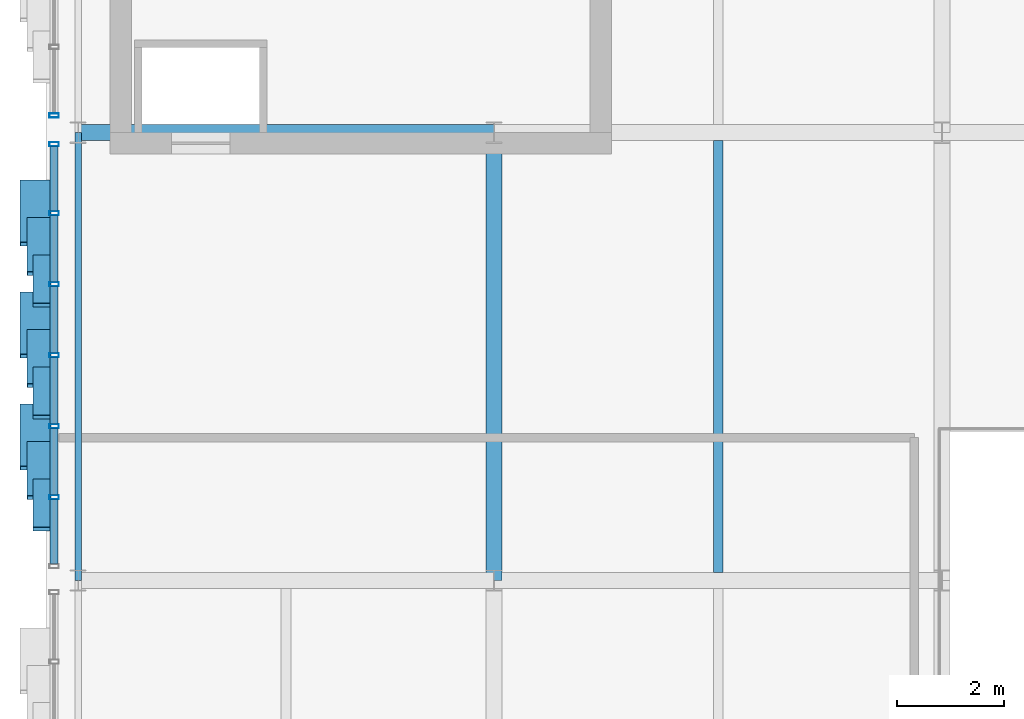
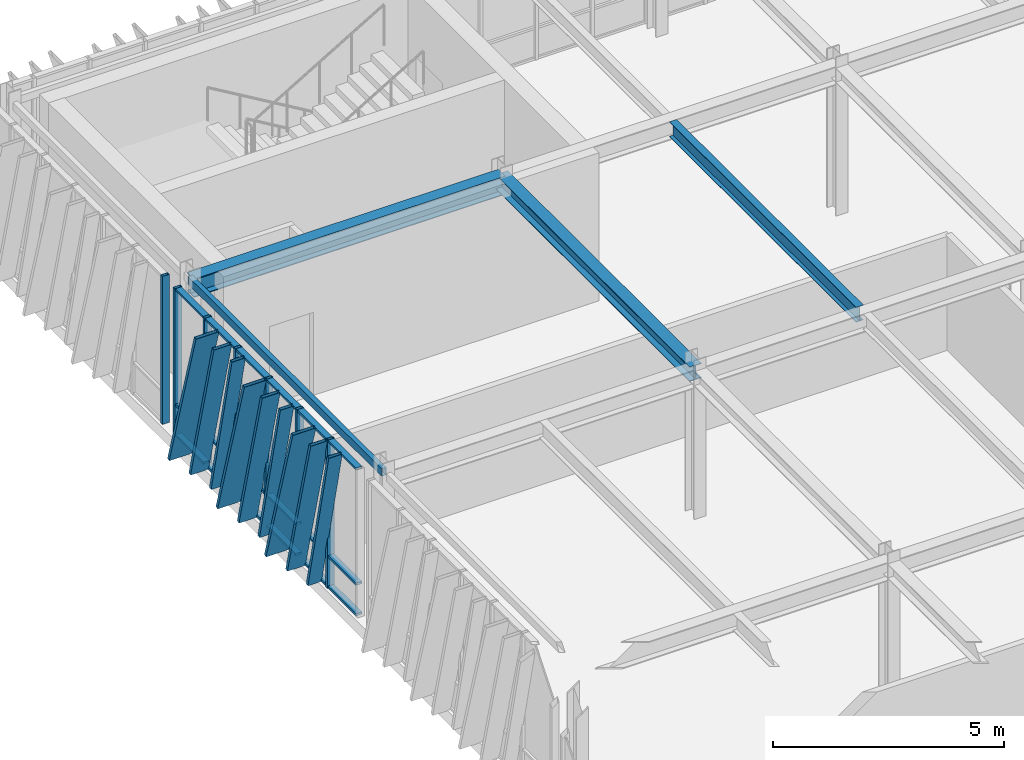
# One storey, part 42 of 127: 34 members, 4 beams, 2 elements without a shape of their own.
"""IFC4 building model written with IfcOpenShell, lengths in metres."""

from ifc_helpers import new_model, si_unit, direction, frame, origin, origin_2d, place, context, subcontext, project, spatial, hollow_rectangle, i_section, extrude, material, layer, layer_set, material_profile, profile_set, type_object, element, aggregate, save


model = new_model("IFC4")

# Units and contexts
model_context = context("Model", 3, precision=1e-05, world=origin(), true_north=direction((0.0, 1.0)))
body_context = subcontext(model_context, "Body", "Model", "MODEL_VIEW")
ifc_project = project(units=[si_unit("LENGTHUNIT", "METRE"), si_unit("AREAUNIT", "SQUARE_METRE"), si_unit("VOLUMEUNIT", "CUBIC_METRE"), si_unit("PLANEANGLEUNIT", "RADIAN"), si_unit("MASSUNIT", "GRAM", prefix="KILO")], contexts=[model_context])

# Site, building, storey
site_placement = place(None, origin())
site = spatial("IfcSite", under=ifc_project, at=site_placement, CompositionType="ELEMENT")
building_placement = place(site_placement, origin())
building = spatial("IfcBuilding", under=site, at=building_placement, Name="Zayran Congress Hotel", CompositionType="ELEMENT")
storey_placement = place(building_placement, frame((0.0, 0.0, 10.800048828125)))
storey = spatial("IfcBuildingStorey", under=building, at=storey_placement, Name="L02", CompositionType="ELEMENT", Elevation=10.800048828125)

# Beams
ifc_material_1 = material(Name="Steel S355", Category="steel")
ifc_material_profile_1 = material_profile(ifc_material_1, i_section(OverallWidth=0.300048828125, OverallDepth=0.489990234375, WebThickness=0.011962890625, FlangeThickness=0.02294921875, at=origin_2d()), Name="HEA 500")
ifc_profile_set_1 = profile_set([ifc_material_profile_1], Name="Steel S355")
beam_type_1 = type_object("IfcBeamType", Name="TP-BM-05", PredefinedType="BEAM", material=ifc_profile_set_1)
beam_1_placement = place(storey_placement, frame((9.0, 109.60009765625, 3.675048828125), z_axis=(1.0, 0.0, 0.0), x_axis=(0.0, 1.0, 0.0)))
element("IfcBeam", 1, at=beam_1_placement, inside=storey, type_object=beam_type_1, Name="BM-V1-L02-0690", PredefinedType="BEAM", context=body_context, shape_type="SweptSolid", body=[
    extrude(i_section(OverallWidth=0.300048828125, OverallDepth=0.489990234375, WebThickness=0.011962890625, FlangeThickness=0.02294921875, at=origin_2d()), origin(), (0.0, 0.0, 1.0), 7.800048828125),
])
ifc_material_profile_2 = material_profile(ifc_material_1, i_section(OverallWidth=0.300048828125, OverallDepth=0.389892578125, WebThickness=0.010986328125, FlangeThickness=0.01904296875, at=origin_2d()), Name="HEA 400")
ifc_profile_set_2 = profile_set([ifc_material_profile_2], Name="Steel S355")
beam_type_2 = type_object("IfcBeamType", Name="TP-BM-06", PredefinedType="BEAM", material=ifc_profile_set_2)
beam_2_placement = place(storey_placement, frame((16.800048828125, 101.199951171875, 3.724853515625), z_axis=(0.0, 1.0, 0.0), x_axis=(-1.0, 0.0, 0.0)))
element("IfcBeam", 2, at=beam_2_placement, inside=storey, type_object=beam_type_2, Name="BM-V1-L02-0719", PredefinedType="BEAM", context=body_context, shape_type="SweptSolid", body=[
    extrude(i_section(OverallWidth=0.300048828125, OverallDepth=0.389892578125, WebThickness=0.010986328125, FlangeThickness=0.01904296875, at=origin_2d()), origin(), (0.0, 0.0, 1.0), 8.400146484375),
])
ifc_material_profile_3 = material_profile(ifc_material_1, i_section(OverallWidth=0.179931640625, OverallDepth=0.39990234375, WebThickness=0.008544921875, FlangeThickness=0.013427734375, at=origin_2d()), Name="IPE 400")
ifc_profile_set_3 = profile_set([ifc_material_profile_3], Name="Steel S355")
beam_type_3 = type_object("IfcBeamType", Name="TP-JS-03", PredefinedType="JOIST", material=ifc_profile_set_3)
beam_3_placement = place(storey_placement, frame((21.0, 101.35009765625, 3.719970703125), z_axis=(0.0, 1.0, 0.0), x_axis=(-1.0, 0.0, 0.0)))
element("IfcBeam", 3, at=beam_3_placement, inside=storey, type_object=beam_type_3, Name="JST-V1-L02-0763", PredefinedType="JOIST", context=body_context, shape_type="SweptSolid", body=[
    extrude(i_section(OverallWidth=0.179931640625, OverallDepth=0.39990234375, WebThickness=0.008544921875, FlangeThickness=0.013427734375, at=origin_2d()), origin(), (0.0, 0.0, 1.0), 8.099853515625),
])
ifc_material_profile_4 = material_profile(ifc_material_1, hollow_rectangle(XDim=0.1201171875, YDim=0.199951171875, WallThickness=0.008056640625, at=origin_2d()), Name="RHS 200x120x8")
ifc_profile_set_4 = profile_set([ifc_material_profile_4], Name="Steel S355")
beam_type_4 = type_object("IfcBeamType", Name="TP-SP-02", PredefinedType="SPANDREL", material=ifc_profile_set_4)
beam_4_placement = place(storey_placement, frame((9.0, 101.199951171875, 3.820068359375), z_axis=(0.0, 1.0, 0.0), x_axis=(-1.0, 0.0, 0.0)))
element("IfcBeam", 4, at=beam_4_placement, inside=storey, type_object=beam_type_4, Name="BM-V1-L02-0714", PredefinedType="SPANDREL", context=body_context, shape_type="SweptSolid", body=[
    extrude(hollow_rectangle(XDim=0.1201171875, YDim=0.199951171875, WallThickness=0.008056640625, at=origin_2d()), origin(), (0.0, 0.0, 1.0), 8.400146484375),
])

# Curtain wall, members
ifc_material_2 = material(Name="Anodised aluminium and low-E insulated glass", Category="aluminium")
ifc_layer_1 = layer(ifc_material_2, 0.179931640625)
ifc_layer_set_1 = layer_set([ifc_layer_1], Name="Anodised aluminium and low-E insulated glass")
curtain_wall_type_1 = type_object("IfcCurtainWallType", Name="CW-V1W-L02-CW-31-7990-3920", PredefinedType="USERDEFINED", material=ifc_layer_set_1)
curtain_wall_1_placement = place(storey_placement, origin())
curtain_wall_1 = element("IfcCurtainWall", 5, at=curtain_wall_1_placement, inside=storey, type_object=curtain_wall_type_1, Name="CW-V1W-L02-4", ObjectType="CURTAIN WALL", PredefinedType="USERDEFINED")
ifc_material_3 = material(Name="Anodised aluminium framing", Category="aluminium")
ifc_material_profile_5 = material_profile(ifc_material_3, hollow_rectangle(XDim=0.080078125, YDim=0.179931640625, WallThickness=0.0048828125, at=origin_2d()), Name="RHS 180x80x5")
ifc_profile_set_5 = profile_set([ifc_material_profile_5], Name="Anodised aluminium framing")
member_type_1 = type_object("IfcMemberType", Name="TP-CWM-01", PredefinedType="MULLION", material=ifc_profile_set_5)
member_1_placement = place(storey_placement, frame((8.550048828125, 109.3798828125, 0.0), z_axis=(0.0, 0.0, 1.0), x_axis=(0.0, 1.0, 0.0)))
member_1 = element("IfcMember", 6, at=member_1_placement, type_object=member_type_1, Name="CW-V1W-L02-4-M00", PredefinedType="MULLION", context=body_context, shape_type="SweptSolid", body=[
    extrude(hollow_rectangle(XDim=0.080078125, YDim=0.179931640625, WallThickness=0.0048828125, at=origin_2d()), origin(), (0.0, 0.0, 1.0), 3.919921875),
])
member_2_placement = place(storey_placement, frame((8.550048828125, 108.08837890625, 0.0), z_axis=(0.0, 0.0, 1.0), x_axis=(0.0, 1.0, 0.0)))
member_2 = element("IfcMember", 7, at=member_2_placement, type_object=member_type_1, Name="CW-V1W-L02-4-M01", PredefinedType="MULLION", context=body_context, shape_type="SweptSolid", body=[
    extrude(hollow_rectangle(XDim=0.080078125, YDim=0.179931640625, WallThickness=0.0048828125, at=origin_2d()), origin(), (0.0, 0.0, 1.0), 3.919921875),
])
member_3_placement = place(storey_placement, frame((8.550048828125, 106.756591796875, 0.0), z_axis=(0.0, 0.0, 1.0), x_axis=(0.0, 1.0, 0.0)))
member_3 = element("IfcMember", 8, at=member_3_placement, type_object=member_type_1, Name="CW-V1W-L02-4-M02", PredefinedType="MULLION", context=body_context, shape_type="SweptSolid", body=[
    extrude(hollow_rectangle(XDim=0.080078125, YDim=0.179931640625, WallThickness=0.0048828125, at=origin_2d()), origin(), (0.0, 0.0, 1.0), 3.919921875),
])
member_4_placement = place(storey_placement, frame((8.550048828125, 105.425048828125, 0.0), z_axis=(0.0, 0.0, 1.0), x_axis=(0.0, 1.0, 0.0)))
member_4 = element("IfcMember", 9, at=member_4_placement, type_object=member_type_1, Name="CW-V1W-L02-4-M03", PredefinedType="MULLION", context=body_context, shape_type="SweptSolid", body=[
    extrude(hollow_rectangle(XDim=0.080078125, YDim=0.179931640625, WallThickness=0.0048828125, at=origin_2d()), origin(), (0.0, 0.0, 1.0), 3.919921875),
])
member_5_placement = place(storey_placement, frame((8.550048828125, 104.09326171875, 0.0), z_axis=(0.0, 0.0, 1.0), x_axis=(0.0, 1.0, 0.0)))
member_5 = element("IfcMember", 10, at=member_5_placement, type_object=member_type_1, Name="CW-V1W-L02-4-M04", PredefinedType="MULLION", context=body_context, shape_type="SweptSolid", body=[
    extrude(hollow_rectangle(XDim=0.080078125, YDim=0.179931640625, WallThickness=0.0048828125, at=origin_2d()), origin(), (0.0, 0.0, 1.0), 3.919921875),
])
member_6_placement = place(storey_placement, frame((8.550048828125, 102.76171875, 0.0), z_axis=(0.0, 0.0, 1.0), x_axis=(0.0, 1.0, 0.0)))
member_6 = element("IfcMember", 11, at=member_6_placement, type_object=member_type_1, Name="CW-V1W-L02-4-M05", PredefinedType="MULLION", context=body_context, shape_type="SweptSolid", body=[
    extrude(hollow_rectangle(XDim=0.080078125, YDim=0.179931640625, WallThickness=0.0048828125, at=origin_2d()), origin(), (0.0, 0.0, 1.0), 3.919921875),
])

# Curtain wall, member
ifc_layer_2 = layer(ifc_material_2, 0.179931640625)
ifc_layer_set_2 = layer_set([ifc_layer_2], Name="Anodised aluminium and low-E insulated glass")
curtain_wall_type_2 = type_object("IfcCurtainWallType", Name="CW-V1W-L02-CW-32-7940-3920", PredefinedType="USERDEFINED", material=ifc_layer_set_2)
curtain_wall_2_placement = place(storey_placement, origin())
curtain_wall_2 = element("IfcCurtainWall", 12, at=curtain_wall_2_placement, inside=storey, type_object=curtain_wall_type_2, Name="CW-V1W-L02-5", ObjectType="CURTAIN WALL", PredefinedType="USERDEFINED")
member_7_placement = place(storey_placement, frame((8.550048828125, 109.919921875, 0.0), z_axis=(0.0, 0.0, 1.0), x_axis=(0.0, 1.0, 0.0)))
member_7 = element("IfcMember", 13, at=member_7_placement, type_object=member_type_1, Name="CW-V1W-L02-5-M06", PredefinedType="MULLION", context=body_context, shape_type="SweptSolid", body=[
    extrude(hollow_rectangle(XDim=0.080078125, YDim=0.179931640625, WallThickness=0.0048828125, at=origin_2d()), origin(), (0.0, 0.0, 1.0), 3.919921875),
])
aggregate(curtain_wall_2, [member_7])

# Member
ifc_material_profile_6 = material_profile(ifc_material_3, hollow_rectangle(XDim=0.06005859375, YDim=0.14990234375, WallThickness=0.00390625, at=origin_2d()), Name="RHS 150x60x4")
ifc_profile_set_6 = profile_set([ifc_material_profile_6], Name="Anodised aluminium framing")
member_type_2 = type_object("IfcMemberType", Name="TP-CWT-01", PredefinedType="USERDEFINED", material=ifc_profile_set_6)
member_8_placement = place(storey_placement, frame((8.550048828125, 109.340087890625, 0.030029296875), z_axis=(0.0, -1.0, 0.0), x_axis=(0.0, 0.0, 1.0)))
member_8 = element("IfcMember", 14, at=member_8_placement, type_object=member_type_2, Name="CW-V1W-L02-4-T00-0", ObjectType="TRANSOM", PredefinedType="USERDEFINED", context=body_context, shape_type="SweptSolid", body=[
    extrude(hollow_rectangle(XDim=0.06005859375, YDim=0.14990234375, WallThickness=0.00390625, at=origin_2d()), origin(), (0.0, 0.0, 1.0), 1.211669921875),
])

member_9_placement = place(storey_placement, frame((8.550048828125, 109.340087890625, 0.83984375), z_axis=(0.0, -1.0, 0.0), x_axis=(0.0, 0.0, 1.0)))
member_9 = element("IfcMember", 15, at=member_9_placement, type_object=member_type_2, Name="CW-V1W-L02-4-T00-1", ObjectType="TRANSOM", PredefinedType="USERDEFINED", context=body_context, shape_type="SweptSolid", body=[
    extrude(hollow_rectangle(XDim=0.06005859375, YDim=0.14990234375, WallThickness=0.00390625, at=origin_2d()), origin(), (0.0, 0.0, 1.0), 1.211669921875),
])

member_10_placement = place(storey_placement, frame((8.550048828125, 109.340087890625, 3.889892578125), z_axis=(0.0, -1.0, 0.0), x_axis=(0.0, 0.0, 1.0)))
member_10 = element("IfcMember", 16, at=member_10_placement, type_object=member_type_2, Name="CW-V1W-L02-4-T00-2", ObjectType="TRANSOM", PredefinedType="USERDEFINED", context=body_context, shape_type="SweptSolid", body=[
    extrude(hollow_rectangle(XDim=0.06005859375, YDim=0.14990234375, WallThickness=0.00390625, at=origin_2d()), origin(), (0.0, 0.0, 1.0), 1.211669921875),
])

member_11_placement = place(storey_placement, frame((8.550048828125, 108.04833984375, 0.030029296875), z_axis=(0.0, -1.0, 0.0), x_axis=(0.0, 0.0, 1.0)))
member_11 = element("IfcMember", 17, at=member_11_placement, type_object=member_type_2, Name="CW-V1W-L02-4-T01-0", ObjectType="TRANSOM", PredefinedType="USERDEFINED", context=body_context, shape_type="SweptSolid", body=[
    extrude(hollow_rectangle(XDim=0.06005859375, YDim=0.14990234375, WallThickness=0.00390625, at=origin_2d()), origin(), (0.0, 0.0, 1.0), 1.251708984375),
])

member_12_placement = place(storey_placement, frame((8.550048828125, 108.04833984375, 0.83984375), z_axis=(0.0, -1.0, 0.0), x_axis=(0.0, 0.0, 1.0)))
member_12 = element("IfcMember", 18, at=member_12_placement, type_object=member_type_2, Name="CW-V1W-L02-4-T01-1", ObjectType="TRANSOM", PredefinedType="USERDEFINED", context=body_context, shape_type="SweptSolid", body=[
    extrude(hollow_rectangle(XDim=0.06005859375, YDim=0.14990234375, WallThickness=0.00390625, at=origin_2d()), origin(), (0.0, 0.0, 1.0), 1.251708984375),
])

member_13_placement = place(storey_placement, frame((8.550048828125, 108.04833984375, 3.889892578125), z_axis=(0.0, -1.0, 0.0), x_axis=(0.0, 0.0, 1.0)))
member_13 = element("IfcMember", 19, at=member_13_placement, type_object=member_type_2, Name="CW-V1W-L02-4-T01-2", ObjectType="TRANSOM", PredefinedType="USERDEFINED", context=body_context, shape_type="SweptSolid", body=[
    extrude(hollow_rectangle(XDim=0.06005859375, YDim=0.14990234375, WallThickness=0.00390625, at=origin_2d()), origin(), (0.0, 0.0, 1.0), 1.251708984375),
])

member_14_placement = place(storey_placement, frame((8.550048828125, 106.716796875, 0.030029296875), z_axis=(0.0, -1.0, 0.0), x_axis=(0.0, 0.0, 1.0)))
member_14 = element("IfcMember", 20, at=member_14_placement, type_object=member_type_2, Name="CW-V1W-L02-4-T02-0", ObjectType="TRANSOM", PredefinedType="USERDEFINED", context=body_context, shape_type="SweptSolid", body=[
    extrude(hollow_rectangle(XDim=0.06005859375, YDim=0.14990234375, WallThickness=0.00390625, at=origin_2d()), origin(), (0.0, 0.0, 1.0), 1.251708984375),
])

member_15_placement = place(storey_placement, frame((8.550048828125, 106.716796875, 0.83984375), z_axis=(0.0, -1.0, 0.0), x_axis=(0.0, 0.0, 1.0)))
member_15 = element("IfcMember", 21, at=member_15_placement, type_object=member_type_2, Name="CW-V1W-L02-4-T02-1", ObjectType="TRANSOM", PredefinedType="USERDEFINED", context=body_context, shape_type="SweptSolid", body=[
    extrude(hollow_rectangle(XDim=0.06005859375, YDim=0.14990234375, WallThickness=0.00390625, at=origin_2d()), origin(), (0.0, 0.0, 1.0), 1.251708984375),
])

member_16_placement = place(storey_placement, frame((8.550048828125, 106.716796875, 3.889892578125), z_axis=(0.0, -1.0, 0.0), x_axis=(0.0, 0.0, 1.0)))
member_16 = element("IfcMember", 22, at=member_16_placement, type_object=member_type_2, Name="CW-V1W-L02-4-T02-2", ObjectType="TRANSOM", PredefinedType="USERDEFINED", context=body_context, shape_type="SweptSolid", body=[
    extrude(hollow_rectangle(XDim=0.06005859375, YDim=0.14990234375, WallThickness=0.00390625, at=origin_2d()), origin(), (0.0, 0.0, 1.0), 1.251708984375),
])

member_17_placement = place(storey_placement, frame((8.550048828125, 105.385009765625, 0.030029296875), z_axis=(0.0, -1.0, 0.0), x_axis=(0.0, 0.0, 1.0)))
member_17 = element("IfcMember", 23, at=member_17_placement, type_object=member_type_2, Name="CW-V1W-L02-4-T03-0", ObjectType="TRANSOM", PredefinedType="USERDEFINED", context=body_context, shape_type="SweptSolid", body=[
    extrude(hollow_rectangle(XDim=0.06005859375, YDim=0.14990234375, WallThickness=0.00390625, at=origin_2d()), origin(), (0.0, 0.0, 1.0), 1.251708984375),
])

member_18_placement = place(storey_placement, frame((8.550048828125, 105.385009765625, 0.83984375), z_axis=(0.0, -1.0, 0.0), x_axis=(0.0, 0.0, 1.0)))
member_18 = element("IfcMember", 24, at=member_18_placement, type_object=member_type_2, Name="CW-V1W-L02-4-T03-1", ObjectType="TRANSOM", PredefinedType="USERDEFINED", context=body_context, shape_type="SweptSolid", body=[
    extrude(hollow_rectangle(XDim=0.06005859375, YDim=0.14990234375, WallThickness=0.00390625, at=origin_2d()), origin(), (0.0, 0.0, 1.0), 1.251708984375),
])

member_19_placement = place(storey_placement, frame((8.550048828125, 105.385009765625, 3.889892578125), z_axis=(0.0, -1.0, 0.0), x_axis=(0.0, 0.0, 1.0)))
member_19 = element("IfcMember", 25, at=member_19_placement, type_object=member_type_2, Name="CW-V1W-L02-4-T03-2", ObjectType="TRANSOM", PredefinedType="USERDEFINED", context=body_context, shape_type="SweptSolid", body=[
    extrude(hollow_rectangle(XDim=0.06005859375, YDim=0.14990234375, WallThickness=0.00390625, at=origin_2d()), origin(), (0.0, 0.0, 1.0), 1.251708984375),
])

member_20_placement = place(storey_placement, frame((8.550048828125, 104.05322265625, 0.030029296875), z_axis=(0.0, -1.0, 0.0), x_axis=(0.0, 0.0, 1.0)))
member_20 = element("IfcMember", 26, at=member_20_placement, type_object=member_type_2, Name="CW-V1W-L02-4-T04-0", ObjectType="TRANSOM", PredefinedType="USERDEFINED", context=body_context, shape_type="SweptSolid", body=[
    extrude(hollow_rectangle(XDim=0.06005859375, YDim=0.14990234375, WallThickness=0.00390625, at=origin_2d()), origin(), (0.0, 0.0, 1.0), 1.25146484375),
])

member_21_placement = place(storey_placement, frame((8.550048828125, 104.05322265625, 0.83984375), z_axis=(0.0, -1.0, 0.0), x_axis=(0.0, 0.0, 1.0)))
member_21 = element("IfcMember", 27, at=member_21_placement, type_object=member_type_2, Name="CW-V1W-L02-4-T04-1", ObjectType="TRANSOM", PredefinedType="USERDEFINED", context=body_context, shape_type="SweptSolid", body=[
    extrude(hollow_rectangle(XDim=0.06005859375, YDim=0.14990234375, WallThickness=0.00390625, at=origin_2d()), origin(), (0.0, 0.0, 1.0), 1.25146484375),
])

member_22_placement = place(storey_placement, frame((8.550048828125, 104.05322265625, 3.889892578125), z_axis=(0.0, -1.0, 0.0), x_axis=(0.0, 0.0, 1.0)))
member_22 = element("IfcMember", 28, at=member_22_placement, type_object=member_type_2, Name="CW-V1W-L02-4-T04-2", ObjectType="TRANSOM", PredefinedType="USERDEFINED", context=body_context, shape_type="SweptSolid", body=[
    extrude(hollow_rectangle(XDim=0.06005859375, YDim=0.14990234375, WallThickness=0.00390625, at=origin_2d()), origin(), (0.0, 0.0, 1.0), 1.25146484375),
])

member_23_placement = place(storey_placement, frame((8.550048828125, 102.7216796875, 0.030029296875), z_axis=(0.0, -1.0, 0.0), x_axis=(0.0, 0.0, 1.0)))
member_23 = element("IfcMember", 29, at=member_23_placement, type_object=member_type_2, Name="CW-V1W-L02-4-T05-0", ObjectType="TRANSOM", PredefinedType="USERDEFINED", context=body_context, shape_type="SweptSolid", body=[
    extrude(hollow_rectangle(XDim=0.06005859375, YDim=0.14990234375, WallThickness=0.00390625, at=origin_2d()), origin(), (0.0, 0.0, 1.0), 1.211669921875),
])

member_24_placement = place(storey_placement, frame((8.550048828125, 102.7216796875, 0.83984375), z_axis=(0.0, -1.0, 0.0), x_axis=(0.0, 0.0, 1.0)))
member_24 = element("IfcMember", 30, at=member_24_placement, type_object=member_type_2, Name="CW-V1W-L02-4-T05-1", ObjectType="TRANSOM", PredefinedType="USERDEFINED", context=body_context, shape_type="SweptSolid", body=[
    extrude(hollow_rectangle(XDim=0.06005859375, YDim=0.14990234375, WallThickness=0.00390625, at=origin_2d()), origin(), (0.0, 0.0, 1.0), 1.211669921875),
])

member_25_placement = place(storey_placement, frame((8.550048828125, 102.7216796875, 3.889892578125), z_axis=(0.0, -1.0, 0.0), x_axis=(0.0, 0.0, 1.0)))
member_25 = element("IfcMember", 31, at=member_25_placement, type_object=member_type_2, Name="CW-V1W-L02-4-T05-2", ObjectType="TRANSOM", PredefinedType="USERDEFINED", context=body_context, shape_type="SweptSolid", body=[
    extrude(hollow_rectangle(XDim=0.06005859375, YDim=0.14990234375, WallThickness=0.00390625, at=origin_2d()), origin(), (0.0, 0.0, 1.0), 1.211669921875),
])

ifc_material_4 = material(Name="Warm bronze anodised aluminium", Category="aluminium")
ifc_material_profile_7 = material_profile(ifc_material_4, hollow_rectangle(XDim=0.080078125, YDim=0.580078125, WallThickness=0.006103515625, at=origin_2d()), Name="RHS 580x80x6")
ifc_profile_set_7 = profile_set([ifc_material_profile_7], Name="Warm bronze anodised aluminium")
member_type_3 = type_object("IfcMemberType", Name="TP-RFN-01", PredefinedType="MULLION", material=ifc_profile_set_7)
member_26_placement = place(storey_placement, frame((8.199951171875, 108.669921875, 0.0), z_axis=(0.0, -0.28401513196, 0.958819797886), x_axis=(0.0, 0.958819797886, 0.28401513196)))
member_26 = element("IfcMember", 32, at=member_26_placement, type_object=member_type_3, Name="Slanting Reed Mullion CW-31-01", PredefinedType="MULLION", context=body_context, shape_type="SweptSolid", body=[
    extrude(hollow_rectangle(XDim=0.080078125, YDim=0.580078125, WallThickness=0.006103515625, at=origin_2d()), origin(), (0.0, 0.0, 1.0), 4.08837890625),
])

member_27_placement = place(storey_placement, frame((8.199951171875, 106.570068359375, 0.0), z_axis=(0.0, -0.284070030724, 0.958803534435), x_axis=(0.0, 0.958803534435, 0.284070030724)))
member_27 = element("IfcMember", 33, at=member_27_placement, type_object=member_type_3, Name="Slanting Reed Mullion CW-31-04", PredefinedType="MULLION", context=body_context, shape_type="SweptSolid", body=[
    extrude(hollow_rectangle(XDim=0.080078125, YDim=0.580078125, WallThickness=0.006103515625, at=origin_2d()), origin(), (0.0, 0.0, 1.0), 4.08837890625),
])

member_28_placement = place(storey_placement, frame((8.199951171875, 104.469970703125, 0.0), z_axis=(0.0, -0.28401513196, 0.958819797886), x_axis=(0.0, 0.958819797886, 0.28401513196)))
member_28 = element("IfcMember", 34, at=member_28_placement, type_object=member_type_3, Name="Slanting Reed Mullion CW-31-07", PredefinedType="MULLION", context=body_context, shape_type="SweptSolid", body=[
    extrude(hollow_rectangle(XDim=0.080078125, YDim=0.580078125, WallThickness=0.006103515625, at=origin_2d()), origin(), (0.0, 0.0, 1.0), 4.08837890625),
])

ifc_material_profile_8 = material_profile(ifc_material_4, hollow_rectangle(XDim=0.080078125, YDim=0.449951171875, WallThickness=0.006103515625, at=origin_2d()), Name="RHS 450x80x6")
ifc_profile_set_8 = profile_set([ifc_material_profile_8], Name="Warm bronze anodised aluminium")
member_type_4 = type_object("IfcMemberType", Name="TP-RFN-02", PredefinedType="MULLION", material=ifc_profile_set_8)
member_29_placement = place(storey_placement, frame((8.264892578125, 107.969970703125, 0.0), z_axis=(0.0, -0.25035943501, 0.968152959662), x_axis=(0.0, 0.968152959662, 0.25035943501)))
member_29 = element("IfcMember", 35, at=member_29_placement, type_object=member_type_4, Name="Slanting Reed Mullion CW-31-02", PredefinedType="MULLION", context=body_context, shape_type="SweptSolid", body=[
    extrude(hollow_rectangle(XDim=0.080078125, YDim=0.449951171875, WallThickness=0.006103515625, at=origin_2d()), origin(), (0.0, 0.0, 1.0), 4.048828125),
])

member_30_placement = place(storey_placement, frame((8.264892578125, 105.8701171875, 0.0), z_axis=(0.0, -0.250415952743, 0.968138342703), x_axis=(0.0, 0.968138342703, 0.250415952743)))
member_30 = element("IfcMember", 36, at=member_30_placement, type_object=member_type_4, Name="Slanting Reed Mullion CW-31-05", PredefinedType="MULLION", context=body_context, shape_type="SweptSolid", body=[
    extrude(hollow_rectangle(XDim=0.080078125, YDim=0.449951171875, WallThickness=0.006103515625, at=origin_2d()), origin(), (0.0, 0.0, 1.0), 4.048828125),
])

member_31_placement = place(storey_placement, frame((8.264892578125, 103.77001953125, 0.0), z_axis=(0.0, -0.250415952743, 0.968138342703), x_axis=(0.0, 0.968138342703, 0.250415952743)))
member_31 = element("IfcMember", 37, at=member_31_placement, type_object=member_type_4, Name="Slanting Reed Mullion CW-31-08", PredefinedType="MULLION", context=body_context, shape_type="SweptSolid", body=[
    extrude(hollow_rectangle(XDim=0.080078125, YDim=0.449951171875, WallThickness=0.006103515625, at=origin_2d()), origin(), (0.0, 0.0, 1.0), 4.048828125),
])

ifc_material_profile_9 = material_profile(ifc_material_4, hollow_rectangle(XDim=0.080078125, YDim=0.340087890625, WallThickness=0.006103515625, at=origin_2d()), Name="RHS 340x80x6")
ifc_profile_set_9 = profile_set([ifc_material_profile_9], Name="Warm bronze anodised aluminium")
member_type_5 = type_object("IfcMemberType", Name="TP-RFN-03", PredefinedType="MULLION", material=ifc_profile_set_9)
member_32_placement = place(storey_placement, frame((8.320068359375, 107.27001953125, 0.0), z_axis=(0.0, -0.224961443605, 0.974367666177), x_axis=(0.0, 0.974367666177, 0.224961443605)))
member_32 = element("IfcMember", 38, at=member_32_placement, type_object=member_type_5, Name="Slanting Reed Mullion CW-31-03", PredefinedType="MULLION", context=body_context, shape_type="SweptSolid", body=[
    extrude(hollow_rectangle(XDim=0.080078125, YDim=0.340087890625, WallThickness=0.006103515625, at=origin_2d()), origin(), (0.0, 0.0, 1.0), 4.02294921875),
])

member_33_placement = place(storey_placement, frame((8.320068359375, 105.169921875, 0.0), z_axis=(0.0, -0.224961443605, 0.974367666177), x_axis=(0.0, 0.974367666177, 0.224961443605)))
member_33 = element("IfcMember", 39, at=member_33_placement, type_object=member_type_5, Name="Slanting Reed Mullion CW-31-06", PredefinedType="MULLION", context=body_context, shape_type="SweptSolid", body=[
    extrude(hollow_rectangle(XDim=0.080078125, YDim=0.340087890625, WallThickness=0.006103515625, at=origin_2d()), origin(), (0.0, 0.0, 1.0), 4.02294921875),
])

member_34_placement = place(storey_placement, frame((8.320068359375, 103.070068359375, 0.0), z_axis=(0.0, -0.224961443605, 0.974367666177), x_axis=(0.0, 0.974367666177, 0.224961443605)))
member_34 = element("IfcMember", 40, at=member_34_placement, type_object=member_type_5, Name="Slanting Reed Mullion CW-31-09", PredefinedType="MULLION", context=body_context, shape_type="SweptSolid", body=[
    extrude(hollow_rectangle(XDim=0.080078125, YDim=0.340087890625, WallThickness=0.006103515625, at=origin_2d()), origin(), (0.0, 0.0, 1.0), 4.02294921875),
])

aggregate(curtain_wall_1, [member_1, member_2, member_3, member_4, member_5, member_6, member_8, member_9, member_10, member_11, member_12, member_13, member_14, member_15, member_16, member_17, member_18, member_19, member_20, member_21, member_22, member_23, member_24, member_25, member_26, member_29, member_32, member_27, member_30, member_33, member_28, member_31, member_34])

save(model, "model.ifc")
